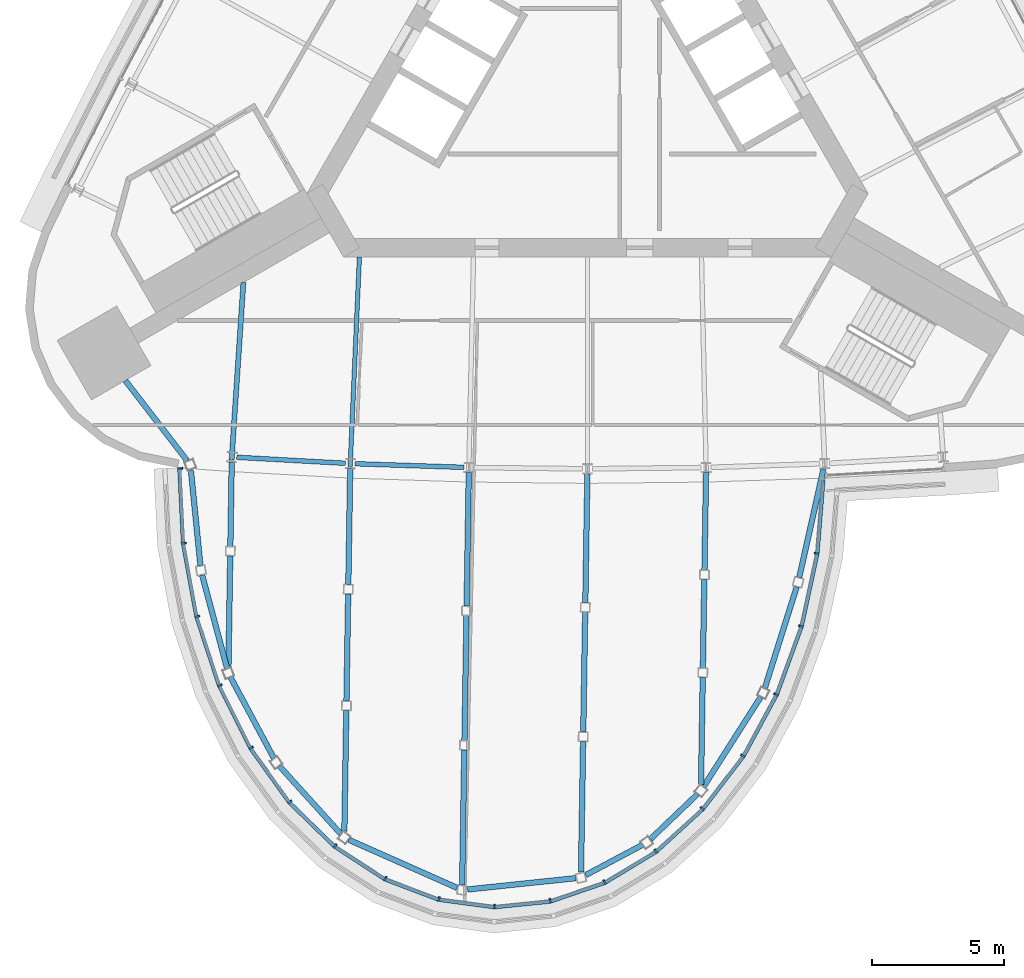
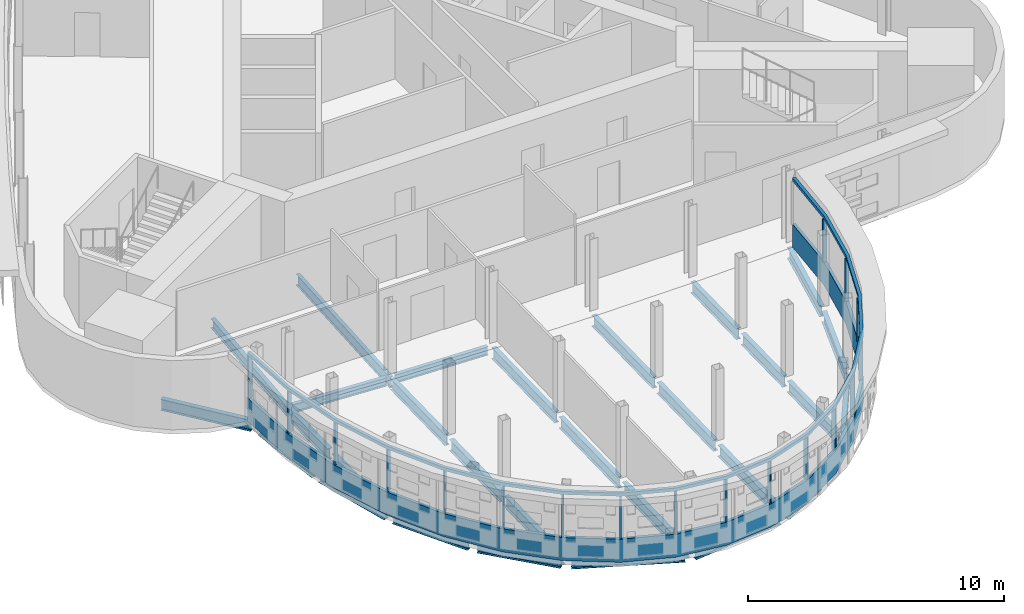
# One storey, part 3 of 14: 30 beams, 20 members, 1 element without a shape of its own.
"""IFC4 building model written with IfcOpenShell, lengths in metres."""

from ifc_helpers import new_model, si_unit, direction, frame, origin, origin_2d, place, context, subcontext, project, spatial, polyline, rectangle, i_section, outline, extrude, material, material_profile, profile_set, type_object, element, aggregate, save


model = new_model("IFC4")

# Units and contexts
model_context = context("Model", 3, precision=1e-05, world=origin(), true_north=direction((0.0, 1.0)))
body_context = subcontext(model_context, "Body", "Model", "MODEL_VIEW")
ifc_project = project(units=[si_unit("LENGTHUNIT", "METRE"), si_unit("AREAUNIT", "SQUARE_METRE"), si_unit("VOLUMEUNIT", "CUBIC_METRE"), si_unit("PLANEANGLEUNIT", "RADIAN"), si_unit("MASSUNIT", "GRAM", prefix="KILO")], contexts=[model_context])

# Site, building, storey
site_placement = place(None, origin())
site = spatial("IfcSite", under=ifc_project, at=site_placement, CompositionType="ELEMENT")
building_placement = place(site_placement, origin())
building = spatial("IfcBuilding", under=site, at=building_placement, Name="Noor Cloister Tower", CompositionType="ELEMENT")
storey_placement = place(building_placement, frame((0.0, 0.0, 222.0)))
storey = spatial("IfcBuildingStorey", under=building, at=storey_placement, Name="L57", CompositionType="ELEMENT", Elevation=222.0)

# Curtain wall, members
ifc_material_1 = material(Name="Aluminium 6063-T6 anodised", Category="aluminium")
curtain_wall_type = type_object("IfcCurtainWallType", Name="Sky bar curtain wall, upper bars CW6", PredefinedType="NOTDEFINED", material=ifc_material_1)
curtain_wall_placement = place(storey_placement, origin())
curtain_wall = element("IfcCurtainWall", 1, at=curtain_wall_placement, inside=storey, type_object=curtain_wall_type, Name="CW6 L57 S sky bar run 2", PredefinedType="NOTDEFINED")
ifc_material_2 = material(Name="Aluminium 6063-T6 anodised", Category="aluminium")
member_type_1 = type_object("IfcMemberType", Name="Head transom CW6 150", PredefinedType="USERDEFINED", material=ifc_material_2)
member_1_placement = place(storey_placement, frame((0.0, 0.0, 3.14990234375)))
member_1 = element("IfcMember", 2, at=member_1_placement, type_object=member_type_1, Name="CW6 head transom", ObjectType="TRANSOM", PredefinedType="USERDEFINED", context=body_context, shape_type="SweptSolid", body=[
    extrude(outline(polyline([(-15.50732421875, -14.898193359375), (-15.366943359375, -17.76611328125), (-14.85888671875, -20.552734375), (-13.998046875, -23.173583984375), (-12.810791015625, -25.548828125), (-11.333251953125, -27.6064453125), (-9.6103515625, -29.2841796875), (-7.6943359375, -30.530517578125), (-5.643310546875, -31.307861328125), (-3.519775390625, -31.5927734375), (-1.38818359375, -31.376220703125), (0.686767578125, -30.6650390625), (2.641845703125, -29.480712890625), (4.417724609375, -27.859130859375), (5.96044921875, -25.85009765625), (7.22314453125, -23.513916015625), (8.167724609375, -20.922119140625), (8.764892578125, -18.153076171875), (8.9970703125, -15.291259765625), (8.857421875, -15.280029296875), (8.626220703125, -18.132568359375), (8.03271484375, -20.883056640625), (7.09521484375, -23.456298828125), (5.842529296875, -25.773681640625), (4.314208984375, -27.76416015625), (2.5576171875, -29.367919921875), (0.626953125, -30.537353515625), (-1.418212890625, -31.238525390625), (-3.517578125, -31.45166015625), (-5.608642578125, -31.17138671875), (-7.630615234375, -30.405029296875), (-9.5224609375, -29.17431640625), (-11.226806640625, -27.514892578125), (-12.690673828125, -25.476318359375), (-13.8681640625, -23.1201171875), (-14.722900390625, -20.51806640625), (-15.227783203125, -17.75), (-15.367431640625, -14.891357421875), (-15.50732421875, -14.898193359375)])), origin(), (0.0, 0.0, 1.0), 0.150146484375),
])
ifc_material_3 = material(Name="Aluminium 6063-T6 anodised", Category="aluminium")
ifc_material_profile_1 = material_profile(ifc_material_3, rectangle(XDim=0.179931640625, YDim=0.070068359375, at=origin_2d()), Name="180 x 70 mullion")
ifc_profile_set_1 = profile_set([ifc_material_profile_1], Name="Aluminium 6063-T6 anodised")
member_type_2 = type_object("IfcMemberType", Name="Mullion CW6 70 x 180", PredefinedType="MULLION", material=ifc_profile_set_1)
member_2_placement = place(storey_placement, frame((-15.40576171875, -14.92822265625, 1.10009765625), z_axis=(0.0, 0.0, 1.0), x_axis=(0.998807460194, 0.048822714606, 0.0)))
member_2 = element("IfcMember", 3, at=member_2_placement, type_object=member_type_2, Name="CW6 mullion 1", PredefinedType="MULLION", context=body_context, shape_type="SweptSolid", body=[
    extrude(rectangle(XDim=0.179931640625, YDim=0.070068359375, at=origin_2d()), origin(), (0.0, 0.0, 1.0), 2.0498046875),
])
member_3_placement = place(storey_placement, frame((-15.267578125, -17.754638671875, 1.10009765625), z_axis=(0.0, 0.0, 1.0), x_axis=(0.993438965549, 0.114363550702, 0.0)))
member_3 = element("IfcMember", 4, at=member_3_placement, type_object=member_type_2, Name="CW6 mullion 2", PredefinedType="MULLION", context=body_context, shape_type="SweptSolid", body=[
    extrude(rectangle(XDim=0.179931640625, YDim=0.070068359375, at=origin_2d()), origin(), (0.0, 0.0, 1.0), 2.0498046875),
])
member_4_placement = place(storey_placement, frame((-14.76171875, -20.528076171875, 1.10009765625), z_axis=(0.0, 0.0, 1.0), x_axis=(0.969193298185, 0.246301341357, 0.0)))
member_4 = element("IfcMember", 5, at=member_4_placement, type_object=member_type_2, Name="CW6 mullion 3", PredefinedType="MULLION", context=body_context, shape_type="SweptSolid", body=[
    extrude(rectangle(XDim=0.179931640625, YDim=0.070068359375, at=origin_2d()), origin(), (0.0, 0.0, 1.0), 2.0498046875),
])
member_5_placement = place(storey_placement, frame((-13.9052734375, -23.13525390625, 1.10009765625), z_axis=(0.0, 0.0, 1.0), x_axis=(0.924752283101, 0.380569592715, 0.0)))
member_5 = element("IfcMember", 6, at=member_5_placement, type_object=member_type_2, Name="CW6 mullion 4", PredefinedType="MULLION", context=body_context, shape_type="SweptSolid", body=[
    extrude(rectangle(XDim=0.179931640625, YDim=0.070068359375, at=origin_2d()), origin(), (0.0, 0.0, 1.0), 2.0498046875),
])
member_6_placement = place(storey_placement, frame((-12.72509765625, -25.4970703125, 1.10009765625), z_axis=(0.0, 0.0, 1.0), x_axis=(0.856103758386, 0.516803981096, 0.0)))
member_6 = element("IfcMember", 7, at=member_6_placement, type_object=member_type_2, Name="CW6 mullion 5", PredefinedType="MULLION", context=body_context, shape_type="SweptSolid", body=[
    extrude(rectangle(XDim=0.179931640625, YDim=0.070068359375, at=origin_2d()), origin(), (0.0, 0.0, 1.0), 2.0498046875),
])
member_7_placement = place(storey_placement, frame((-11.25732421875, -27.541015625, 1.10009765625), z_axis=(0.0, 0.0, 1.0), x_axis=(0.757870889148, 0.652404564194, 0.0)))
member_7 = element("IfcMember", 8, at=member_7_placement, type_object=member_type_2, Name="CW6 mullion 6", PredefinedType="MULLION", context=body_context, shape_type="SweptSolid", body=[
    extrude(rectangle(XDim=0.179931640625, YDim=0.070068359375, at=origin_2d()), origin(), (0.0, 0.0, 1.0), 2.0498046875),
])
member_8_placement = place(storey_placement, frame((-9.547607421875, -29.20556640625, 1.10009765625), z_axis=(0.0, 0.0, 1.0), x_axis=(0.624409562203, 0.781097112163, 0.0)))
member_8 = element("IfcMember", 9, at=member_8_placement, type_object=member_type_2, Name="CW6 mullion 7", PredefinedType="MULLION", context=body_context, shape_type="SweptSolid", body=[
    extrude(rectangle(XDim=0.179931640625, YDim=0.070068359375, at=origin_2d()), origin(), (0.0, 0.0, 1.0), 2.0498046875),
])
member_9_placement = place(storey_placement, frame((-7.648681640625, -30.44091796875, 1.10009765625), z_axis=(0.0, 0.0, 1.0), x_axis=(0.452451441396, 0.891789040737, 0.0)))
member_9 = element("IfcMember", 10, at=member_9_placement, type_object=member_type_2, Name="CW6 mullion 8", PredefinedType="MULLION", context=body_context, shape_type="SweptSolid", body=[
    extrude(rectangle(XDim=0.179931640625, YDim=0.070068359375, at=origin_2d()), origin(), (0.0, 0.0, 1.0), 2.0498046875),
])
member_10_placement = place(storey_placement, frame((-5.61865234375, -31.210205078125, 1.10009765625), z_axis=(0.0, 0.0, 1.0), x_axis=(0.245276878973, 0.969453068818, 0.0)))
member_10 = element("IfcMember", 11, at=member_10_placement, type_object=member_type_2, Name="CW6 mullion 9", PredefinedType="MULLION", context=body_context, shape_type="SweptSolid", body=[
    extrude(rectangle(XDim=0.179931640625, YDim=0.070068359375, at=origin_2d()), origin(), (0.0, 0.0, 1.0), 2.0498046875),
])
member_11_placement = place(storey_placement, frame((-3.51806640625, -31.491943359375, 1.10009765625), z_axis=(0.0, 0.0, 1.0), x_axis=(0.016039463974, 0.999871359524, 0.0)))
member_11 = element("IfcMember", 12, at=member_11_placement, type_object=member_type_2, Name="CW6 mullion 10", PredefinedType="MULLION", context=body_context, shape_type="SweptSolid", body=[
    extrude(rectangle(XDim=0.179931640625, YDim=0.070068359375, at=origin_2d()), origin(), (0.0, 0.0, 1.0), 2.0498046875),
])
member_12_placement = place(storey_placement, frame((-1.40966796875, -31.27783203125, 1.10009765625), z_axis=(0.0, 0.0, 1.0), x_axis=(-0.214055662401, 0.976821464442, 0.0)))
member_12 = element("IfcMember", 13, at=member_12_placement, type_object=member_type_2, Name="CW6 mullion 11", PredefinedType="MULLION", context=body_context, shape_type="SweptSolid", body=[
    extrude(rectangle(XDim=0.179931640625, YDim=0.070068359375, at=origin_2d()), origin(), (0.0, 0.0, 1.0), 2.0498046875),
])
member_13_placement = place(storey_placement, frame((0.64404296875, -30.57373046875, 1.10009765625), z_axis=(0.0, 0.0, 1.0), x_axis=(-0.423614685811, 0.905842479665, 0.0)))
member_13 = element("IfcMember", 14, at=member_13_placement, type_object=member_type_2, Name="CW6 mullion 12", PredefinedType="MULLION", context=body_context, shape_type="SweptSolid", body=[
    extrude(rectangle(XDim=0.179931640625, YDim=0.070068359375, at=origin_2d()), origin(), (0.0, 0.0, 1.0), 2.0498046875),
])
member_14_placement = place(storey_placement, frame((2.58154296875, -29.400146484375, 1.10009765625), z_axis=(0.0, 0.0, 1.0), x_axis=(-0.599034750826, 0.800723027834, 0.0)))
member_14 = element("IfcMember", 15, at=member_14_placement, type_object=member_type_2, Name="CW6 mullion 13", PredefinedType="MULLION", context=body_context, shape_type="SweptSolid", body=[
    extrude(rectangle(XDim=0.179931640625, YDim=0.070068359375, at=origin_2d()), origin(), (0.0, 0.0, 1.0), 2.0498046875),
])
member_15_placement = place(storey_placement, frame((4.34375, -27.791259765625, 1.10009765625), z_axis=(0.0, 0.0, 1.0), x_axis=(-0.736555195978, 0.676377441431, 0.0)))
member_15 = element("IfcMember", 16, at=member_15_placement, type_object=member_type_2, Name="CW6 mullion 14", PredefinedType="MULLION", context=body_context, shape_type="SweptSolid", body=[
    extrude(rectangle(XDim=0.179931640625, YDim=0.070068359375, at=origin_2d()), origin(), (0.0, 0.0, 1.0), 2.0498046875),
])
member_16_placement = place(storey_placement, frame((5.876220703125, -25.79541015625, 1.10009765625), z_axis=(0.0, 0.0, 1.0), x_axis=(-0.839086883334, 0.543997428502, 0.0)))
member_16 = element("IfcMember", 17, at=member_16_placement, type_object=member_type_2, Name="CW6 mullion 15", PredefinedType="MULLION", context=body_context, shape_type="SweptSolid", body=[
    extrude(rectangle(XDim=0.179931640625, YDim=0.070068359375, at=origin_2d()), origin(), (0.0, 0.0, 1.0), 2.0498046875),
])
member_17_placement = place(storey_placement, frame((7.1318359375, -23.472900390625, 1.10009765625), z_axis=(0.0, 0.0, 1.0), x_axis=(-0.912069777343, 0.410035024428, 0.0)))
member_17 = element("IfcMember", 18, at=member_17_placement, type_object=member_type_2, Name="CW6 mullion 16", PredefinedType="MULLION", context=body_context, shape_type="SweptSolid", body=[
    extrude(rectangle(XDim=0.179931640625, YDim=0.070068359375, at=origin_2d()), origin(), (0.0, 0.0, 1.0), 2.0498046875),
])
member_18_placement = place(storey_placement, frame((8.0712890625, -20.894287109375, 1.10009765625), z_axis=(0.0, 0.0, 1.0), x_axis=(-0.960794553727, 0.277261294682, 0.0)))
member_18 = element("IfcMember", 19, at=member_18_placement, type_object=member_type_2, Name="CW6 mullion 17", PredefinedType="MULLION", context=body_context, shape_type="SweptSolid", body=[
    extrude(rectangle(XDim=0.179931640625, YDim=0.070068359375, at=origin_2d()), origin(), (0.0, 0.0, 1.0), 2.0498046875),
])
member_19_placement = place(storey_placement, frame((8.665771484375, -18.138427734375, 1.10009765625), z_axis=(0.0, 0.0, 1.0), x_axis=(-0.989259624416, 0.146169064784, 0.0)))
member_19 = element("IfcMember", 20, at=member_19_placement, type_object=member_type_2, Name="CW6 mullion 18", PredefinedType="MULLION", context=body_context, shape_type="SweptSolid", body=[
    extrude(rectangle(XDim=0.179931640625, YDim=0.070068359375, at=origin_2d()), origin(), (0.0, 0.0, 1.0), 2.0498046875),
])

# Beams
ifc_material_4 = material(Name="Steel ASTM A992 Gr 50", Category="steel")
ifc_material_profile_2 = material_profile(ifc_material_4, i_section(OverallWidth=0.208984375, OverallDepth=0.532958984375, WebThickness=0.01025390625, FlangeThickness=0.015625, FilletRadius=0.0126953125, at=origin_2d()), Name="W530x92")
ifc_profile_set_2 = profile_set([ifc_material_profile_2], Name="Steel ASTM A992 Gr 50")
beam_type_1 = type_object("IfcBeamType", Name="Pod floor beam W530x92", PredefinedType="BEAM", material=ifc_profile_set_2)
beam_1_placement = place(storey_placement, frame((-13.45654296875, -14.68310546875, -0.466552734375), z_axis=(-0.016057886464, -0.999871063829, 0.0), x_axis=(0.999871063829, -0.016057886464, 0.0)))
element("IfcBeam", 21, at=beam_1_placement, inside=storey, type_object=beam_type_1, Name="Pod floor beam 4 L57 line 1 span 1", PredefinedType="BEAM", context=body_context, shape_type="SweptSolid", body=[
    extrude(i_section(OverallWidth=0.208984375, OverallDepth=0.532958984375, WebThickness=0.01025390625, FlangeThickness=0.015625, FilletRadius=0.0126953125, at=origin_2d()), origin(), (0.0, 0.0, 1.0), 3.19287109375),
])
beam_2_placement = place(storey_placement, frame((-13.513671875, -18.231689453125, -0.466552734375), z_axis=(-0.016020235708, -0.999871667789, 0.0), x_axis=(0.999871667789, -0.016020235708, 0.0)))
element("IfcBeam", 22, at=beam_2_placement, inside=storey, type_object=beam_type_1, Name="Pod floor beam 4 L57 line 1 span 2", PredefinedType="BEAM", context=body_context, shape_type="SweptSolid", body=[
    extrude(i_section(OverallWidth=0.208984375, OverallDepth=0.532958984375, WebThickness=0.01025390625, FlangeThickness=0.015625, FilletRadius=0.0126953125, at=origin_2d()), origin(), (0.0, 0.0, 1.0), 4.2060546875),
])
beam_3_placement = place(storey_placement, frame((-8.975830078125, -14.928955078125, -0.466552734375), z_axis=(-0.016022870474, -0.999871625571, 0.0), x_axis=(0.999871625571, -0.016022870474, 0.0)))
element("IfcBeam", 23, at=beam_3_placement, inside=storey, type_object=beam_type_1, Name="Pod floor beam 4 L57 line 2 span 1", PredefinedType="BEAM", context=body_context, shape_type="SweptSolid", body=[
    extrude(i_section(OverallWidth=0.208984375, OverallDepth=0.532958984375, WebThickness=0.01025390625, FlangeThickness=0.015625, FilletRadius=0.0126953125, at=origin_2d()), origin(), (0.0, 0.0, 1.0), 4.38818359375),
])
beam_4_placement = place(storey_placement, frame((-9.0517578125, -19.672607421875, -0.466552734375), z_axis=(-0.01602879691, -0.999871530583, 0.0), x_axis=(0.999871530583, -0.01602879691, 0.0)))
element("IfcBeam", 24, at=beam_4_placement, inside=storey, type_object=beam_type_1, Name="Pod floor beam 4 L57 line 2 span 2", PredefinedType="BEAM", context=body_context, shape_type="SweptSolid", body=[
    extrude(i_section(OverallWidth=0.208984375, OverallDepth=0.532958984375, WebThickness=0.01025390625, FlangeThickness=0.015625, FilletRadius=0.0126953125, at=origin_2d()), origin(), (0.0, 0.0, 1.0), 4.051513671875),
])
beam_5_placement = place(storey_placement, frame((-9.12255859375, -24.07958984375, -0.466552734375), z_axis=(-0.016028719651, -0.999871531821, 0.0), x_axis=(0.999871531821, -0.016028719651, 0.0)))
element("IfcBeam", 25, at=beam_5_placement, inside=storey, type_object=beam_type_1, Name="Pod floor beam 4 L57 line 2 span 3", PredefinedType="BEAM", context=body_context, shape_type="SweptSolid", body=[
    extrude(i_section(OverallWidth=0.208984375, OverallDepth=0.532958984375, WebThickness=0.01025390625, FlangeThickness=0.015625, FilletRadius=0.0126953125, at=origin_2d()), origin(), (0.0, 0.0, 1.0), 4.5693359375),
])
beam_6_placement = place(storey_placement, frame((-4.490478515625, -15.075439453125, -0.466552734375), z_axis=(-0.016018790783, -0.999871690939, 0.0), x_axis=(0.999871690939, -0.016018790783, 0.0)))
element("IfcBeam", 26, at=beam_6_placement, inside=storey, type_object=beam_type_1, Name="Pod floor beam 4 L57 line 3 span 1", PredefinedType="BEAM", context=body_context, shape_type="SweptSolid", body=[
    extrude(i_section(OverallWidth=0.208984375, OverallDepth=0.532958984375, WebThickness=0.01025390625, FlangeThickness=0.015625, FilletRadius=0.0126953125, at=origin_2d()), origin(), (0.0, 0.0, 1.0), 5.06005859375),
])
beam_7_placement = place(storey_placement, frame((-4.577392578125, -20.49072265625, -0.466552734375), z_axis=(-0.016018616282, -0.999871693735, 0.0), x_axis=(0.999871693735, -0.016018616282, 0.0)))
element("IfcBeam", 27, at=beam_7_placement, inside=storey, type_object=beam_type_1, Name="Pod floor beam 4 L57 line 3 span 2", PredefinedType="BEAM", context=body_context, shape_type="SweptSolid", body=[
    extrude(i_section(OverallWidth=0.208984375, OverallDepth=0.532958984375, WebThickness=0.01025390625, FlangeThickness=0.015625, FilletRadius=0.0126953125, at=origin_2d()), origin(), (0.0, 0.0, 1.0), 4.724609375),
])
beam_8_placement = place(storey_placement, frame((-4.65869140625, -25.57080078125, -0.466552734375), z_axis=(-0.016060649323, -0.999871019454, 0.0), x_axis=(0.999871019454, -0.016060649323, 0.0)))
element("IfcBeam", 28, at=beam_8_placement, inside=storey, type_object=beam_type_1, Name="Pod floor beam 4 L57 line 3 span 3", PredefinedType="BEAM", context=body_context, shape_type="SweptSolid", body=[
    extrude(i_section(OverallWidth=0.208984375, OverallDepth=0.532958984375, WebThickness=0.01025390625, FlangeThickness=0.015625, FilletRadius=0.0126953125, at=origin_2d()), origin(), (0.0, 0.0, 1.0), 5.107666015625),
])
beam_9_placement = place(storey_placement, frame((-0.0029296875, -15.126220703125, -0.466552734375), z_axis=(-0.016073644342, -0.999870810634, 0.0), x_axis=(0.999870810634, -0.016073644342, 0.0)))
element("IfcBeam", 29, at=beam_9_placement, inside=storey, type_object=beam_type_1, Name="Pod floor beam 4 L57 line 4 span 1", PredefinedType="BEAM", context=body_context, shape_type="SweptSolid", body=[
    extrude(i_section(OverallWidth=0.208984375, OverallDepth=0.532958984375, WebThickness=0.01025390625, FlangeThickness=0.015625, FilletRadius=0.0126953125, at=origin_2d()), origin(), (0.0, 0.0, 1.0), 4.875732421875),
])
beam_10_placement = place(storey_placement, frame((-0.0869140625, -20.357177734375, -0.466552734375), z_axis=(-0.016026340783, -0.999871569953, 0.0), x_axis=(0.999871569953, -0.016026340783, 0.0)))
element("IfcBeam", 30, at=beam_10_placement, inside=storey, type_object=beam_type_1, Name="Pod floor beam 4 L57 line 4 span 2", PredefinedType="BEAM", context=body_context, shape_type="SweptSolid", body=[
    extrude(i_section(OverallWidth=0.208984375, OverallDepth=0.532958984375, WebThickness=0.01025390625, FlangeThickness=0.015625, FilletRadius=0.0126953125, at=origin_2d()), origin(), (0.0, 0.0, 1.0), 4.53955078125),
])
beam_11_placement = place(storey_placement, frame((-0.16552734375, -25.252197265625, -0.466552734375), z_axis=(-0.016014555828, -0.999871758778, 0.0), x_axis=(0.999871758778, -0.016014555828, 0.0)))
element("IfcBeam", 31, at=beam_11_placement, inside=storey, type_object=beam_type_1, Name="Pod floor beam 4 L57 line 4 span 3", PredefinedType="BEAM", context=body_context, shape_type="SweptSolid", body=[
    extrude(i_section(OverallWidth=0.208984375, OverallDepth=0.532958984375, WebThickness=0.01025390625, FlangeThickness=0.015625, FilletRadius=0.0126953125, at=origin_2d()), origin(), (0.0, 0.0, 1.0), 4.939453125),
])
beam_12_placement = place(storey_placement, frame((4.484375, -15.078857421875, -0.466552734375), z_axis=(-0.016020189604, -0.999871668528, 0.0), x_axis=(0.999871668528, -0.016020189604, 0.0)))
element("IfcBeam", 32, at=beam_12_placement, inside=storey, type_object=beam_type_1, Name="Pod floor beam 4 L57 line 5 span 1", PredefinedType="BEAM", context=body_context, shape_type="SweptSolid", body=[
    extrude(i_section(OverallWidth=0.208984375, OverallDepth=0.532958984375, WebThickness=0.01025390625, FlangeThickness=0.015625, FilletRadius=0.0126953125, at=origin_2d()), origin(), (0.0, 0.0, 1.0), 3.68798828125),
])
beam_13_placement = place(storey_placement, frame((4.419677734375, -19.122314453125, -0.466552734375), z_axis=(-0.016104608923, -0.999870312376, 0.0), x_axis=(0.999870312376, -0.016104608923, 0.0)))
element("IfcBeam", 33, at=beam_13_placement, inside=storey, type_object=beam_type_1, Name="Pod floor beam 4 L57 line 5 span 2", PredefinedType="BEAM", context=body_context, shape_type="SweptSolid", body=[
    extrude(i_section(OverallWidth=0.208984375, OverallDepth=0.532958984375, WebThickness=0.01025390625, FlangeThickness=0.015625, FilletRadius=0.0126953125, at=origin_2d()), origin(), (0.0, 0.0, 1.0), 3.350341796875),
])
beam_14_placement = place(storey_placement, frame((4.360107421875, -22.828125, -0.466552734375), z_axis=(-0.016058791155, -0.999871049299, 0.0), x_axis=(0.999871049299, -0.016058791155, 0.0)))
element("IfcBeam", 34, at=beam_14_placement, inside=storey, type_object=beam_type_1, Name="Pod floor beam 4 L57 line 5 span 3", PredefinedType="BEAM", context=body_context, shape_type="SweptSolid", body=[
    extrude(i_section(OverallWidth=0.208984375, OverallDepth=0.532958984375, WebThickness=0.01025390625, FlangeThickness=0.015625, FilletRadius=0.0126953125, at=origin_2d()), origin(), (0.0, 0.0, 1.0), 4.0439453125),
])
beam_15_placement = place(storey_placement, frame((-17.476318359375, -11.607177734375, -0.466552734375), z_axis=(0.61085747159, -0.791740582137, 0.0), x_axis=(0.791740582137, 0.61085747159, 0.0)))
element("IfcBeam", 35, at=beam_15_placement, inside=storey, type_object=beam_type_1, Name="Pod floor beam 4 L57 ring 1", PredefinedType="BEAM", context=body_context, shape_type="SweptSolid", body=[
    extrude(i_section(OverallWidth=0.208984375, OverallDepth=0.532958984375, WebThickness=0.01025390625, FlangeThickness=0.015625, FilletRadius=0.0126953125, at=origin_2d()), origin(), (0.0, 0.0, 1.0), 3.804931640625),
])
beam_16_placement = place(storey_placement, frame((-14.99951171875, -15.00390625, -0.466552734375), z_axis=(0.09924249297, -0.995063278183, 0.0), x_axis=(0.995063278183, 0.09924249297, 0.0)))
element("IfcBeam", 36, at=beam_16_placement, inside=storey, type_object=beam_type_1, Name="Pod floor beam 4 L57 ring 2", PredefinedType="BEAM", context=body_context, shape_type="SweptSolid", body=[
    extrude(i_section(OverallWidth=0.208984375, OverallDepth=0.532958984375, WebThickness=0.01025390625, FlangeThickness=0.015625, FilletRadius=0.0126953125, at=origin_2d()), origin(), (0.0, 0.0, 1.0), 3.60888671875),
])
beam_17_placement = place(storey_placement, frame((-14.57470703125, -18.961669921875, -0.466552734375), z_axis=(0.25794181174, -0.966160453422, 0.0), x_axis=(0.966160453422, 0.25794181174, 0.0)))
element("IfcBeam", 37, at=beam_17_placement, inside=storey, type_object=beam_type_1, Name="Pod floor beam 4 L57 ring 3", PredefinedType="BEAM", context=body_context, shape_type="SweptSolid", body=[
    extrude(i_section(OverallWidth=0.208984375, OverallDepth=0.532958984375, WebThickness=0.01025390625, FlangeThickness=0.015625, FilletRadius=0.0126953125, at=origin_2d()), origin(), (0.0, 0.0, 1.0), 3.646728515625),
])
beam_18_placement = place(storey_placement, frame((-13.494140625, -22.83837890625, -0.466552734375), z_axis=(0.472231221269, -0.881474715269, 0.0), x_axis=(0.881474715269, 0.472231221269, 0.0)))
element("IfcBeam", 38, at=beam_18_placement, inside=storey, type_object=beam_type_1, Name="Pod floor beam 4 L57 ring 4", PredefinedType="BEAM", context=body_context, shape_type="SweptSolid", body=[
    extrude(i_section(OverallWidth=0.208984375, OverallDepth=0.532958984375, WebThickness=0.01025390625, FlangeThickness=0.015625, FilletRadius=0.0126953125, at=origin_2d()), origin(), (0.0, 0.0, 1.0), 3.45361328125),
])
beam_19_placement = place(storey_placement, frame((-11.643798828125, -26.194091796875, -0.466552734375), z_axis=(0.670972878128, -0.74148189244, 0.0), x_axis=(0.74148189244, 0.670972878128, 0.0)))
element("IfcBeam", 39, at=beam_19_placement, inside=storey, type_object=beam_type_1, Name="Pod floor beam 4 L57 ring 5", PredefinedType="BEAM", context=body_context, shape_type="SweptSolid", body=[
    extrude(i_section(OverallWidth=0.208984375, OverallDepth=0.532958984375, WebThickness=0.01025390625, FlangeThickness=0.015625, FilletRadius=0.0126953125, at=origin_2d()), origin(), (0.0, 0.0, 1.0), 3.434814453125),
])
beam_20_placement = place(storey_placement, frame((-9.0166015625, -28.976318359375, -0.466552734375), z_axis=(0.91395356145, -0.405818786545, 0.0), x_axis=(0.405818786545, 0.91395356145, 0.0)))
element("IfcBeam", 40, at=beam_20_placement, inside=storey, type_object=beam_type_1, Name="Pod floor beam 4 L57 ring 6", PredefinedType="BEAM", context=body_context, shape_type="SweptSolid", body=[
    extrude(i_section(OverallWidth=0.208984375, OverallDepth=0.532958984375, WebThickness=0.01025390625, FlangeThickness=0.015625, FilletRadius=0.0126953125, at=origin_2d()), origin(), (0.0, 0.0, 1.0), 4.46435546875),
])
beam_21_placement = place(storey_placement, frame((-4.53125, -30.851318359375, -0.466552734375), z_axis=(0.994591346785, 0.103865552038, 0.0), x_axis=(-0.103865552038, 0.994591346785, 0.0)))
element("IfcBeam", 41, at=beam_21_placement, inside=storey, type_object=beam_type_1, Name="Pod floor beam 4 L57 ring 7", PredefinedType="BEAM", context=body_context, shape_type="SweptSolid", body=[
    extrude(i_section(OverallWidth=0.208984375, OverallDepth=0.532958984375, WebThickness=0.01025390625, FlangeThickness=0.015625, FilletRadius=0.0126953125, at=origin_2d()), origin(), (0.0, 0.0, 1.0), 4.111083984375),
])
beam_22_placement = place(storey_placement, frame((-0.064208984375, -30.30615234375, -0.466552734375), z_axis=(0.882857278329, 0.469641380312, 0.0), x_axis=(-0.469641380312, 0.882857278329, 0.0)))
element("IfcBeam", 42, at=beam_22_placement, inside=storey, type_object=beam_type_1, Name="Pod floor beam 4 L57 ring 8", PredefinedType="BEAM", context=body_context, shape_type="SweptSolid", body=[
    extrude(i_section(OverallWidth=0.208984375, OverallDepth=0.532958984375, WebThickness=0.01025390625, FlangeThickness=0.015625, FilletRadius=0.0126953125, at=origin_2d()), origin(), (0.0, 0.0, 1.0), 2.423095703125),
])
beam_23_placement = place(storey_placement, frame((2.386474609375, -28.943115234375, -0.466552734375), z_axis=(0.722587546646, 0.691279420663, 0.0), x_axis=(-0.691279420663, 0.722587546646, 0.0)))
element("IfcBeam", 43, at=beam_23_placement, inside=storey, type_object=beam_type_1, Name="Pod floor beam 4 L57 ring 9", PredefinedType="BEAM", context=body_context, shape_type="SweptSolid", body=[
    extrude(i_section(OverallWidth=0.208984375, OverallDepth=0.532958984375, WebThickness=0.01025390625, FlangeThickness=0.015625, FilletRadius=0.0126953125, at=origin_2d()), origin(), (0.0, 0.0, 1.0), 2.440673828125),
])
beam_24_placement = place(storey_placement, frame((4.392578125, -26.961669921875, -0.466552734375), z_axis=(0.537261702506, 0.843415593299, 0.0), x_axis=(-0.843415593299, 0.537261702506, 0.0)))
element("IfcBeam", 44, at=beam_24_placement, inside=storey, type_object=beam_type_1, Name="Pod floor beam 4 L57 ring 10", PredefinedType="BEAM", context=body_context, shape_type="SweptSolid", body=[
    extrude(i_section(OverallWidth=0.208984375, OverallDepth=0.532958984375, WebThickness=0.01025390625, FlangeThickness=0.015625, FilletRadius=0.0126953125, at=origin_2d()), origin(), (0.0, 0.0, 1.0), 4.008056640625),
])
beam_25_placement = place(storey_placement, frame((6.707763671875, -23.23388671875, -0.466552734375), z_axis=(0.300645405409, 0.953735990831, 0.0), x_axis=(-0.953735990831, 0.300645405409, 0.0)))
element("IfcBeam", 45, at=beam_25_placement, inside=storey, type_object=beam_type_1, Name="Pod floor beam 4 L57 ring 11", PredefinedType="BEAM", context=body_context, shape_type="SweptSolid", body=[
    extrude(i_section(OverallWidth=0.208984375, OverallDepth=0.532958984375, WebThickness=0.01025390625, FlangeThickness=0.015625, FilletRadius=0.0126953125, at=origin_2d()), origin(), (0.0, 0.0, 1.0), 4.015625),
])
beam_26_placement = place(storey_placement, frame((8.009765625, -19.051513671875, -0.466552734375), z_axis=(0.218069707422, 0.975933195821, 0.0), x_axis=(-0.975933195821, 0.218069707422, 0.0)))
element("IfcBeam", 46, at=beam_26_placement, inside=storey, type_object=beam_type_1, Name="Pod floor beam 4 L57 ring 12", PredefinedType="BEAM", context=body_context, shape_type="SweptSolid", body=[
    extrude(i_section(OverallWidth=0.208984375, OverallDepth=0.532958984375, WebThickness=0.01025390625, FlangeThickness=0.015625, FilletRadius=0.0126953125, at=origin_2d()), origin(), (0.0, 0.0, 1.0), 4.197265625),
])
ifc_material_5 = material(Name="Steel ASTM A992 Gr 50", Category="steel")
ifc_material_profile_3 = material_profile(ifc_material_5, i_section(OverallWidth=0.19091796875, OverallDepth=0.45703125, WebThickness=0.009033203125, FlangeThickness=0.014404296875, FilletRadius=0.01025390625, at=origin_2d()), Name="W460x74")
ifc_profile_set_3 = profile_set([ifc_material_profile_3], Name="Steel ASTM A992 Gr 50")
beam_type_2 = type_object("IfcBeamType", Name="Radial beam W460x74", PredefinedType="BEAM", material=ifc_profile_set_3)
beam_27_placement = place(storey_placement, frame((-13.461181640625, -14.609375, -0.428466796875), z_axis=(0.066336159121, 0.997797331121, 0.0), x_axis=(-0.997797331121, 0.066336159121, 0.0)))
element("IfcBeam", 47, at=beam_27_placement, inside=storey, type_object=beam_type_2, Name="Radial beam S 01 L57", PredefinedType="BEAM", context=body_context, shape_type="SweptSolid", body=[
    extrude(i_section(OverallWidth=0.19091796875, OverallDepth=0.45703125, WebThickness=0.009033203125, FlangeThickness=0.014404296875, FilletRadius=0.01025390625, at=origin_2d()), origin(), (0.0, 0.0, 1.0), 6.735107421875),
])
ifc_material_6 = material(Name="Steel ASTM A992 Gr 50", Category="steel")
ifc_material_profile_4 = material_profile(ifc_material_6, i_section(OverallWidth=0.166015625, OverallDepth=0.528076171875, WebThickness=0.009765625, FlangeThickness=0.013671875, FilletRadius=0.0126953125, at=origin_2d()), Name="W530x74")
ifc_profile_set_4 = profile_set([ifc_material_profile_4], Name="Steel ASTM A992 Gr 50")
beam_type_3 = type_object("IfcBeamType", Name="Radial beam W530x74", PredefinedType="BEAM", material=ifc_profile_set_4)
beam_28_placement = place(storey_placement, frame((-8.977783203125, -14.857666015625, -0.464111328125), z_axis=(0.044231430946, 0.999021311342, 0.0), x_axis=(-0.999021311342, 0.044231430946, 0.0)))
element("IfcBeam", 48, at=beam_28_placement, inside=storey, type_object=beam_type_3, Name="Radial beam S 02 L57", PredefinedType="BEAM", context=body_context, shape_type="SweptSolid", body=[
    extrude(i_section(OverallWidth=0.166015625, OverallDepth=0.528076171875, WebThickness=0.009765625, FlangeThickness=0.013671875, FilletRadius=0.0126953125, at=origin_2d()), origin(), (0.0, 0.0, 1.0), 7.937255859375),
])

# Member
ifc_material_7 = material(Name="Aluminium 6063-T6 anodised", Category="aluminium")
member_type_3 = type_object("IfcMemberType", Name="Sill transom CW6 1100", PredefinedType="USERDEFINED", material=ifc_material_7)
member_20_placement = place(storey_placement, origin())
member_20 = element("IfcMember", 49, at=member_20_placement, type_object=member_type_3, Name="CW6 sill transom", ObjectType="TRANSOM", PredefinedType="USERDEFINED", context=body_context, shape_type="SweptSolid", body=[
    extrude(outline(polyline([(-15.50732421875, -14.898193359375), (-15.366943359375, -17.76611328125), (-14.85888671875, -20.552734375), (-13.998046875, -23.173583984375), (-12.810791015625, -25.548828125), (-11.333251953125, -27.6064453125), (-9.6103515625, -29.2841796875), (-7.6943359375, -30.530517578125), (-5.643310546875, -31.307861328125), (-3.519775390625, -31.5927734375), (-1.38818359375, -31.376220703125), (0.686767578125, -30.6650390625), (2.641845703125, -29.480712890625), (4.417724609375, -27.859130859375), (5.96044921875, -25.85009765625), (7.22314453125, -23.513916015625), (8.167724609375, -20.922119140625), (8.764892578125, -18.153076171875), (8.9970703125, -15.291259765625), (8.857421875, -15.280029296875), (8.626220703125, -18.132568359375), (8.03271484375, -20.883056640625), (7.09521484375, -23.456298828125), (5.842529296875, -25.773681640625), (4.314208984375, -27.76416015625), (2.5576171875, -29.367919921875), (0.626953125, -30.537353515625), (-1.418212890625, -31.238525390625), (-3.517578125, -31.45166015625), (-5.608642578125, -31.17138671875), (-7.630615234375, -30.405029296875), (-9.5224609375, -29.17431640625), (-11.226806640625, -27.514892578125), (-12.690673828125, -25.476318359375), (-13.8681640625, -23.1201171875), (-14.722900390625, -20.51806640625), (-15.227783203125, -17.75), (-15.367431640625, -14.891357421875), (-15.50732421875, -14.898193359375)])), origin(), (0.0, 0.0, 1.0), 1.10009765625),
])

aggregate(curtain_wall, [member_2, member_3, member_4, member_5, member_6, member_7, member_8, member_9, member_10, member_11, member_12, member_13, member_14, member_15, member_16, member_17, member_18, member_19, member_20, member_1])

# Beams
ifc_material_8 = material(Name="Steel ASTM A992 Gr 50", Category="steel")
ifc_material_profile_5 = material_profile(ifc_material_8, i_section(OverallWidth=0.177978515625, OverallDepth=0.406005859375, WebThickness=0.0078125, FlangeThickness=0.0126953125, FilletRadius=0.01025390625, at=origin_2d()), Name="W410x60")
ifc_profile_set_5 = profile_set([ifc_material_profile_5], Name="Steel ASTM A992 Gr 50")
beam_type_4 = type_object("IfcBeamType", Name="Spandrel beam W410x60", PredefinedType="SPANDREL", material=ifc_profile_set_5)
for number, where, z_axis, x_axis, name in (
    (50, (-13.267333984375, -14.50390625, -0.403076171875), (0.998469831997, -0.055299137356, 0.0), (0.055299137356, 0.998469831997, 0.0), "Spandrel beam S 01 L57"),
    (51, (-8.786376953125, -14.748046875, -0.403076171875), (0.999447866334, -0.033225930849, 0.0), (0.033225930849, 0.999447866334, 0.0), "Spandrel beam S 02 L57"),
):
    element("IfcBeam", number, at=place(storey_placement, frame(where, z_axis=z_axis, x_axis=x_axis)), inside=storey, type_object=beam_type_4, Name=name, PredefinedType="SPANDREL", context=body_context, shape_type="SweptSolid", body=[
        extrude(i_section(OverallWidth=0.177978515625, OverallDepth=0.406005859375, WebThickness=0.0078125, FlangeThickness=0.0126953125, FilletRadius=0.01025390625, at=origin_2d()), origin(), (0.0, 0.0, 1.0), 4.11474609375),
    ])

save(model, "model.ifc")
